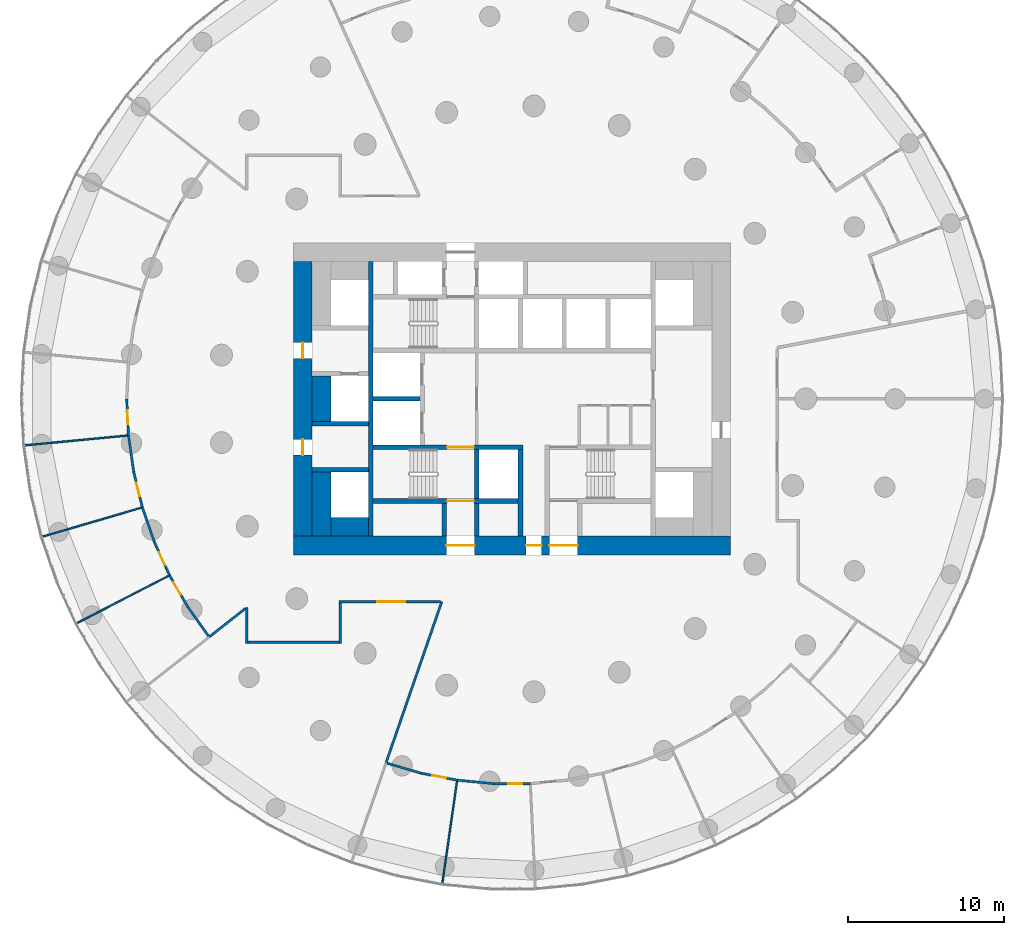
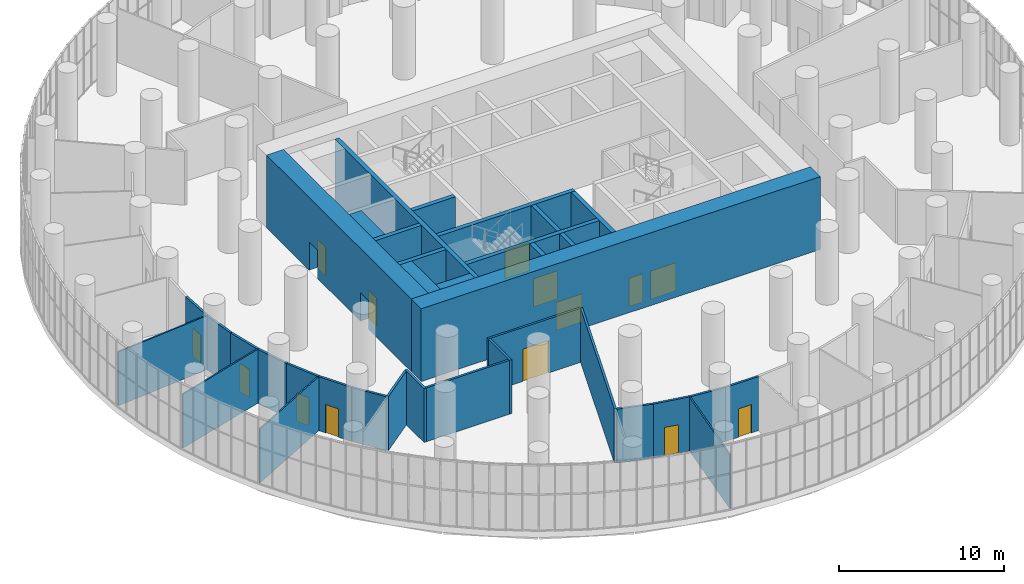
# One storey, part 21 of 27: 36 walls, 14 doors, 14 openings.
"""IFC4 building model written with IfcOpenShell, lengths in metres."""

from ifc_helpers import new_model, si_unit, direction, frame, frame_2d, origin, place, context, subcontext, project, spatial, rectangle, extrude, material, layer, layer_set, type_object, element, fill, save


model = new_model("IFC4")

# Units and contexts
model_context = context("Model", 3, precision=1e-05, world=origin(), true_north=direction((0.0, 1.0)))
body_context = subcontext(model_context, "Body", "Model", "MODEL_VIEW")
ifc_project = project(units=[si_unit("LENGTHUNIT", "METRE"), si_unit("AREAUNIT", "SQUARE_METRE"), si_unit("VOLUMEUNIT", "CUBIC_METRE"), si_unit("PLANEANGLEUNIT", "RADIAN"), si_unit("MASSUNIT", "GRAM", prefix="KILO")], contexts=[model_context])

# Site, building, storey
site_placement = place(None, origin())
site = spatial("IfcSite", under=ifc_project, at=site_placement, CompositionType="ELEMENT")
building_placement = place(site_placement, origin())
building = spatial("IfcBuilding", under=site, at=building_placement, Name="Tracery Tower", CompositionType="ELEMENT")
storey_placement = place(building_placement, frame((0.0, 0.0, 114.60009765625)))
storey = spatial("IfcBuildingStorey", under=building, at=storey_placement, Name="L29", CompositionType="ELEMENT", Elevation=114.60009765625)

# Walls
ifc_material_1 = material(Name="Concrete C60/75", Category="concrete")
ifc_layer_1 = layer(ifc_material_1, 1.199951171875)
ifc_layer_set_1 = layer_set([ifc_layer_1], Name="Core strip wall 1200 C60")
wall_type_1 = type_object("IfcWallType", Name="Core strip wall 1200 C60", PredefinedType="SOLIDWALL", material=ifc_layer_set_1)
wall_1_placement = place(storey_placement, frame((-12.199951171875, -8.800048828125, 0.0), z_axis=(0.0, 0.0, 1.0), x_axis=(0.0, 1.0, 0.0)))
element("IfcWall", 1, at=wall_1_placement, inside=storey, type_object=wall_type_1, Name="L29 wing strip -1 -9.4", PredefinedType="SOLIDWALL", context=body_context, shape_type="SweptSolid", body=[
    extrude(rectangle(XDim=4.10009765625, YDim=1.199951171875, at=frame_2d((2.050048828125, 0.0))), origin(), (0.0, 0.0, 1.0), 4.89990234375),
])
wall_2_placement = place(storey_placement, frame((-12.199951171875, -1.449951171875, 0.0), z_axis=(0.0, 0.0, 1.0), x_axis=(0.0, 1.0, 0.0)))
element("IfcWall", 2, at=wall_2_placement, inside=storey, type_object=wall_type_1, Name="L29 wing strip -1 -1.6", PredefinedType="SOLIDWALL", context=body_context, shape_type="SweptSolid", body=[
    extrude(rectangle(XDim=2.89990234375, YDim=1.199951171875, at=frame_2d((1.449951171875, 0.0))), origin(), (0.0, 0.0, 1.0), 4.89990234375),
])
wall_3_placement = place(storey_placement, frame((-11.60009765625, -8.199951171875, 0.0), z_axis=(0.0, 0.0, 1.0), x_axis=(1.0, 0.0, 0.0)))
element("IfcWall", 3, at=wall_3_placement, inside=storey, type_object=wall_type_1, Name="L29 wing corner -1 -8.2", PredefinedType="SOLIDWALL", context=body_context, shape_type="SweptSolid", body=[
    extrude(rectangle(XDim=2.400146484375, YDim=1.199951171875, at=frame_2d((1.2001953125, 0.0))), origin(), (0.0, 0.0, 1.0), 4.89990234375),
])

# Wall, openings, doors
ifc_material_2 = material(Name="Concrete C60/75", Category="concrete")
ifc_layer_2 = layer(ifc_material_2, 1.199951171875)
ifc_layer_set_2 = layer_set([ifc_layer_2], Name="Core wall 1200 C60")
wall_type_2 = type_object("IfcWallType", Name="Core wall 1200 C60", PredefinedType="SOLIDWALL", material=ifc_layer_set_2)
wall_4_placement = place(storey_placement, frame((-14.0, -9.39990234375, 0.0), z_axis=(0.0, 0.0, 1.0), x_axis=(1.0, 0.0, 0.0)))
wall_4 = element("IfcWall", 4, at=wall_4_placement, inside=storey, type_object=wall_type_2, Name="L29 outer S", PredefinedType="SOLIDWALL", context=body_context, shape_type="SweptSolid", body=[
    extrude(rectangle(XDim=28.0, YDim=1.199951171875, at=frame_2d((14.0, 0.0))), origin(), (0.0, 0.0, 1.0), 5.39990234375),
])
opening_1_placement = place(wall_4_placement, frame((14.89990234375, 0.0, 0.0)))
opening_1 = element("IfcOpeningElement", 5, at=opening_1_placement, cuts=wall_4, Name="Opening KD16", PredefinedType="OPENING", context=body_context, shape_type="SweptSolid", body=[
    extrude(rectangle(XDim=1.0, YDim=2.10009765625, at=frame_2d((0.5, 1.050048828125))), frame((0.0, 0.60009765625, 0.0), z_axis=(0.0, -1.0, 0.0), x_axis=(1.0, 0.0, 0.0)), (0.0, 0.0, 1.0), 1.199951171875),
])
opening_2_placement = place(wall_4_placement, frame((9.800048828125, 0.0, 0.0)))
opening_2 = element("IfcOpeningElement", 6, at=opening_2_placement, cuts=wall_4, Name="Opening KD13", PredefinedType="OPENING", context=body_context, shape_type="SweptSolid", body=[
    extrude(rectangle(XDim=1.800048828125, YDim=2.10009765625, at=frame_2d((0.89990234375, 1.050048828125))), frame((0.0, 0.60009765625, 0.0), z_axis=(0.0, -1.0, 0.0), x_axis=(1.0, 0.0, 0.0)), (0.0, 0.0, 1.0), 1.199951171875),
])
opening_3_placement = place(wall_4_placement, frame((16.39990234375, 0.0, 0.0)))
opening_3 = element("IfcOpeningElement", 7, at=opening_3_placement, cuts=wall_4, Name="Opening KD13", PredefinedType="OPENING", context=body_context, shape_type="SweptSolid", body=[
    extrude(rectangle(XDim=1.800048828125, YDim=2.10009765625, at=frame_2d((0.89990234375, 1.050048828125))), frame((0.0, 0.60009765625, 0.0), z_axis=(0.0, -1.0, 0.0), x_axis=(1.0, 0.0, 0.0)), (0.0, 0.0, 1.0), 1.199951171875),
])
ifc_material_3 = material(Name="Steel fire door", Category="steel")
door_type_1 = type_object("IfcDoorType", Name="Core exit door 1000", OperationType="NOTDEFINED", PredefinedType="DOOR", material=ifc_material_3)
door_1_placement = place(opening_1_placement, origin())
door_1 = element("IfcDoor", 8, at=door_1_placement, inside=storey, type_object=door_type_1, Name="Core exit door", OperationType="SINGLE_SWING_LEFT", OverallHeight=2.10009765625, OverallWidth=1.0, PredefinedType="DOOR", context=body_context, shape_type="SweptSolid", body=[
    extrude(rectangle(XDim=1.0, YDim=2.10009765625, at=frame_2d((0.5, 1.050048828125))), frame((0.0, 0.02490234375, 0.0), z_axis=(0.0, -1.0, 0.0), x_axis=(1.0, 0.0, 0.0)), (0.0, 0.0, 1.0), 0.050048828125),
])
fill(opening_1, door_1)
ifc_material_4 = material(Name="Steel fire door", Category="steel")
door_type_2 = type_object("IfcDoorType", Name="Core exit door 1800 double", OperationType="NOTDEFINED", PredefinedType="DOOR", material=ifc_material_4)
door_2_placement = place(opening_2_placement, origin())
door_2 = element("IfcDoor", 9, at=door_2_placement, inside=storey, type_object=door_type_2, Name="Core exit door", OperationType="DOUBLE_DOOR_SINGLE_SWING", OverallHeight=2.10009765625, OverallWidth=1.800048828125, PredefinedType="DOOR", context=body_context, shape_type="SweptSolid", body=[
    extrude(rectangle(XDim=1.800048828125, YDim=2.10009765625, at=frame_2d((0.89990234375, 1.050048828125))), frame((0.0, 0.02490234375, 0.0), z_axis=(0.0, -1.0, 0.0), x_axis=(1.0, 0.0, 0.0)), (0.0, 0.0, 1.0), 0.050048828125),
])
fill(opening_2, door_2)
door_3_placement = place(opening_3_placement, origin())
door_3 = element("IfcDoor", 10, at=door_3_placement, inside=storey, type_object=door_type_2, Name="Core exit door", OperationType="DOUBLE_DOOR_SINGLE_SWING", OverallHeight=2.10009765625, OverallWidth=1.800048828125, PredefinedType="DOOR", context=body_context, shape_type="SweptSolid", body=[
    extrude(rectangle(XDim=1.800048828125, YDim=2.10009765625, at=frame_2d((0.89990234375, 1.050048828125))), frame((0.0, 0.02490234375, 0.0), z_axis=(0.0, -1.0, 0.0), x_axis=(1.0, 0.0, 0.0)), (0.0, 0.0, 1.0), 0.050048828125),
])
fill(opening_3, door_3)

wall_5_placement = place(storey_placement, frame((-13.39990234375, -8.800048828125, 0.0), z_axis=(0.0, 0.0, 1.0), x_axis=(0.0, 1.0, 0.0)))
wall_5 = element("IfcWall", 11, at=wall_5_placement, inside=storey, type_object=wall_type_2, Name="L29 outer W", PredefinedType="SOLIDWALL", context=body_context, shape_type="SweptSolid", body=[
    extrude(rectangle(XDim=17.60009765625, YDim=1.199951171875, at=frame_2d((8.800048828125, 0.0))), origin(), (0.0, 0.0, 1.0), 5.39990234375),
])
opening_4_placement = place(wall_5_placement, frame((5.199951171875, 0.0, 0.0)))
opening_4 = element("IfcOpeningElement", 12, at=opening_4_placement, cuts=wall_5, Name="Opening KD18", PredefinedType="OPENING", context=body_context, shape_type="SweptSolid", body=[
    extrude(rectangle(XDim=1.0, YDim=2.10009765625, at=frame_2d((0.5, 1.050048828125))), frame((0.0, 0.60009765625, 0.0), z_axis=(0.0, -1.0, 0.0), x_axis=(1.0, 0.0, 0.0)), (0.0, 0.0, 1.0), 1.199951171875),
])
opening_5_placement = place(wall_5_placement, frame((11.39990234375, 0.0, 0.0)))
opening_5 = element("IfcOpeningElement", 13, at=opening_5_placement, cuts=wall_5, Name="Opening KD18", PredefinedType="OPENING", context=body_context, shape_type="SweptSolid", body=[
    extrude(rectangle(XDim=1.0, YDim=2.10009765625, at=frame_2d((0.5, 1.050048828125))), frame((0.0, 0.60009765625, 0.0), z_axis=(0.0, -1.0, 0.0), x_axis=(1.0, 0.0, 0.0)), (0.0, 0.0, 1.0), 1.199951171875),
])
door_4_placement = place(opening_4_placement, origin())
door_4 = element("IfcDoor", 14, at=door_4_placement, inside=storey, type_object=door_type_1, Name="Core exit door", OperationType="DOUBLE_DOOR_SINGLE_SWING", OverallHeight=2.10009765625, OverallWidth=1.0, PredefinedType="DOOR", context=body_context, shape_type="SweptSolid", body=[
    extrude(rectangle(XDim=1.0, YDim=2.10009765625, at=frame_2d((0.5, 1.050048828125))), frame((0.0, 0.02490234375, 0.0), z_axis=(0.0, -1.0, 0.0), x_axis=(1.0, 0.0, 0.0)), (0.0, 0.0, 1.0), 0.050048828125),
])
fill(opening_4, door_4)
door_5_placement = place(opening_5_placement, origin())
door_5 = element("IfcDoor", 15, at=door_5_placement, inside=storey, type_object=door_type_1, Name="Core exit door", OperationType="DOUBLE_DOOR_SINGLE_SWING", OverallHeight=2.10009765625, OverallWidth=1.0, PredefinedType="DOOR", context=body_context, shape_type="SweptSolid", body=[
    extrude(rectangle(XDim=1.0, YDim=2.10009765625, at=frame_2d((0.5, 1.050048828125))), frame((0.0, 0.02490234375, 0.0), z_axis=(0.0, -1.0, 0.0), x_axis=(1.0, 0.0, 0.0)), (0.0, 0.0, 1.0), 0.050048828125),
])
fill(opening_5, door_5)

# Wall, opening, door
ifc_material_5 = material(Name="Plasterboard on steel studs", Category="steel")
ifc_layer_3 = layer(ifc_material_5, 0.14990234375)
ifc_layer_set_3 = layer_set([ifc_layer_3], Name="Corridor partition 150")
wall_type_3 = type_object("IfcWallType", Name="Corridor partition 150", PredefinedType="PARTITIONING", material=ifc_layer_set_3)
wall_6_placement = place(storey_placement, frame((-24.5751953125, -2.3466796875, 0.0), z_axis=(0.0, 0.0, 1.0), x_axis=(-0.047594773283, 0.998866726624, 0.0)))
wall_6 = element("IfcWall", 16, at=wall_6_placement, inside=storey, type_object=wall_type_3, Name="Corridor partition 150", PredefinedType="PARTITIONING", context=body_context, shape_type="SweptSolid", body=[
    extrude(rectangle(XDim=2.349365234375, YDim=0.14990234375, at=frame_2d((1.1748046875, 0.0))), origin(), (0.0, 0.0, 1.0), 4.0),
])
opening_6_placement = place(wall_6_placement, frame((0.724609375, 0.0, 0.0)))
opening_6 = element("IfcOpeningElement", 17, at=opening_6_placement, cuts=wall_6, Name="Opening SB-L29-19", PredefinedType="OPENING", context=body_context, shape_type="SweptSolid", body=[
    extrude(rectangle(XDim=0.89990234375, YDim=2.10009765625, at=frame_2d((0.449951171875, 1.050048828125))), frame((0.0, 0.074951171875, 0.0), z_axis=(0.0, -1.0, 0.0), x_axis=(1.0, 0.0, 0.0)), (0.0, 0.0, 1.0), 0.14990234375),
])
ifc_material_6 = material(Name="Timber door leaf", Category="wood")
door_type_3 = type_object("IfcDoorType", Name="Room door 900", OperationType="NOTDEFINED", PredefinedType="DOOR", material=ifc_material_6)
door_6_placement = place(opening_6_placement, origin())
door_6 = element("IfcDoor", 18, at=door_6_placement, inside=storey, type_object=door_type_3, Name="Room door 900", OperationType="SINGLE_SWING_RIGHT", OverallHeight=2.10009765625, OverallWidth=0.89990234375, PredefinedType="DOOR", context=body_context, shape_type="SweptSolid", body=[
    extrude(rectangle(XDim=0.89990234375, YDim=2.10009765625, at=frame_2d((0.449951171875, 1.050048828125))), frame((0.0, 0.02490234375, 0.0), z_axis=(0.0, -1.0, 0.0), x_axis=(1.0, 0.0, 0.0)), (0.0, 0.0, 1.0), 0.050048828125),
])
fill(opening_6, door_6)

# Wall
wall_7_placement = place(storey_placement, frame((-24.5751953125, -2.3466796875, 0.0), z_axis=(0.0, 0.0, 1.0), x_axis=(0.142366940736, -0.989813949278, 0.0)))
element("IfcWall", 19, at=wall_7_placement, inside=storey, type_object=wall_type_3, Name="Corridor partition 150", PredefinedType="PARTITIONING", context=body_context, shape_type="SweptSolid", body=[
    extrude(rectangle(XDim=2.349365234375, YDim=0.14990234375, at=frame_2d((1.1748046875, 0.0))), origin(), (0.0, 0.0, 1.0), 4.0),
])

# Wall, opening, door
wall_8_placement = place(storey_placement, frame((-23.68701171875, -6.955078125, 0.0), z_axis=(0.0, 0.0, 1.0), x_axis=(-0.235707106262, 0.9718241405, 0.0)))
wall_8 = element("IfcWall", 20, at=wall_8_placement, inside=storey, type_object=wall_type_3, Name="Corridor partition 150", PredefinedType="PARTITIONING", context=body_context, shape_type="SweptSolid", body=[
    extrude(rectangle(XDim=2.34912109375, YDim=0.14990234375, at=frame_2d((1.174560546875, 0.0))), origin(), (0.0, 0.0, 1.0), 4.0),
])
opening_7_placement = place(wall_8_placement, frame((0.724609375, 0.0, 0.0)))
opening_7 = element("IfcOpeningElement", 21, at=opening_7_placement, cuts=wall_8, Name="Opening SB-L29-20", PredefinedType="OPENING", context=body_context, shape_type="SweptSolid", body=[
    extrude(rectangle(XDim=0.89990234375, YDim=2.10009765625, at=frame_2d((0.449951171875, 1.050048828125))), frame((0.0, 0.074951171875, 0.0), z_axis=(0.0, -1.0, 0.0), x_axis=(1.0, 0.0, 0.0)), (0.0, 0.0, 1.0), 0.14990234375),
])
door_7_placement = place(opening_7_placement, origin())
door_7 = element("IfcDoor", 22, at=door_7_placement, inside=storey, type_object=door_type_3, Name="Room door 900", OperationType="SINGLE_SWING_RIGHT", OverallHeight=2.10009765625, OverallWidth=0.89990234375, PredefinedType="DOOR", context=body_context, shape_type="SweptSolid", body=[
    extrude(rectangle(XDim=0.89990234375, YDim=2.10009765625, at=frame_2d((0.449951171875, 1.050048828125))), frame((0.0, 0.02490234375, 0.0), z_axis=(0.0, -1.0, 0.0), x_axis=(1.0, 0.0, 0.0)), (0.0, 0.0, 1.0), 0.050048828125),
])
fill(opening_7, door_7)

# Wall
wall_9_placement = place(storey_placement, frame((-23.68701171875, -6.955078125, 0.0), z_axis=(0.0, 0.0, 1.0), x_axis=(0.327117701878, -0.944983602566, 0.0)))
element("IfcWall", 23, at=wall_9_placement, inside=storey, type_object=wall_type_3, Name="Corridor partition 150", PredefinedType="PARTITIONING", context=body_context, shape_type="SweptSolid", body=[
    extrude(rectangle(XDim=2.349365234375, YDim=0.14990234375, at=frame_2d((1.1748046875, 0.0))), origin(), (0.0, 0.0, 1.0), 4.0),
])

# Wall, opening, door
wall_10_placement = place(storey_placement, frame((-21.942626953125, -11.312255859375, 0.0), z_axis=(0.0, 0.0, 1.0), x_axis=(-0.415383956613, 0.909646177691, 0.0)))
wall_10 = element("IfcWall", 24, at=wall_10_placement, inside=storey, type_object=wall_type_3, Name="Corridor partition 150", PredefinedType="PARTITIONING", context=body_context, shape_type="SweptSolid", body=[
    extrude(rectangle(XDim=2.34912109375, YDim=0.14990234375, at=frame_2d((1.174560546875, 0.0))), origin(), (0.0, 0.0, 1.0), 4.0),
])
opening_8_placement = place(wall_10_placement, frame((0.724609375, 0.0, 0.0)))
opening_8 = element("IfcOpeningElement", 25, at=opening_8_placement, cuts=wall_10, Name="Opening SB-L29-21", PredefinedType="OPENING", context=body_context, shape_type="SweptSolid", body=[
    extrude(rectangle(XDim=0.89990234375, YDim=2.10009765625, at=frame_2d((0.449951171875, 1.050048828125))), frame((0.0, 0.074951171875, 0.0), z_axis=(0.0, -1.0, 0.0), x_axis=(1.0, 0.0, 0.0)), (0.0, 0.0, 1.0), 0.14990234375),
])
door_8_placement = place(opening_8_placement, origin())
door_8 = element("IfcDoor", 26, at=door_8_placement, inside=storey, type_object=door_type_3, Name="Room door 900", OperationType="SINGLE_SWING_RIGHT", OverallHeight=2.10009765625, OverallWidth=0.89990234375, PredefinedType="DOOR", context=body_context, shape_type="SweptSolid", body=[
    extrude(rectangle(XDim=0.89990234375, YDim=2.10009765625, at=frame_2d((0.449951171875, 1.050048828125))), frame((0.0, 0.02490234375, 0.0), z_axis=(0.0, -1.0, 0.0), x_axis=(1.0, 0.0, 0.0)), (0.0, 0.0, 1.0), 0.050048828125),
])
fill(opening_8, door_8)

wall_11_placement = place(storey_placement, frame((-20.767822265625, -13.3466796875, 0.0), z_axis=(0.0, 0.0, 1.0), x_axis=(-0.500073279432, 0.865983091751, 0.0)))
wall_11 = element("IfcWall", 27, at=wall_11_placement, inside=storey, type_object=wall_type_3, Name="Corridor partition 150", PredefinedType="PARTITIONING", context=body_context, shape_type="SweptSolid", body=[
    extrude(rectangle(XDim=2.349365234375, YDim=0.14990234375, at=frame_2d((1.1748046875, 0.0))), origin(), (0.0, 0.0, 1.0), 4.0),
])
opening_9_placement = place(wall_11_placement, frame((0.924560546875, 0.0, 0.0)))
opening_9 = element("IfcOpeningElement", 28, at=opening_9_placement, cuts=wall_11, Name="Opening SB-L29-22", PredefinedType="OPENING", context=body_context, shape_type="SweptSolid", body=[
    extrude(rectangle(XDim=0.89990234375, YDim=2.10009765625, at=frame_2d((0.449951171875, 1.050048828125))), frame((0.0, 0.074951171875, 0.0), z_axis=(0.0, -1.0, 0.0), x_axis=(1.0, 0.0, 0.0)), (0.0, 0.0, 1.0), 0.14990234375),
])
door_9_placement = place(opening_9_placement, origin())
door_9 = element("IfcDoor", 29, at=door_9_placement, inside=storey, type_object=door_type_3, Name="Room door 900", OperationType="SINGLE_SWING_RIGHT", OverallHeight=2.10009765625, OverallWidth=0.89990234375, PredefinedType="DOOR", context=body_context, shape_type="SweptSolid", body=[
    extrude(rectangle(XDim=0.89990234375, YDim=2.10009765625, at=frame_2d((0.449951171875, 1.050048828125))), frame((0.0, 0.02490234375, 0.0), z_axis=(0.0, -1.0, 0.0), x_axis=(1.0, 0.0, 0.0)), (0.0, 0.0, 1.0), 0.050048828125),
])
fill(opening_9, door_9)

# Walls
wall_12_placement = place(storey_placement, frame((-20.767822265625, -13.3466796875, 0.0), z_axis=(0.0, 0.0, 1.0), x_axis=(0.580029104411, -0.8145957513, 0.0)))
element("IfcWall", 30, at=wall_12_placement, inside=storey, type_object=wall_type_3, Name="Corridor partition 150", PredefinedType="PARTITIONING", context=body_context, shape_type="SweptSolid", body=[
    extrude(rectangle(XDim=2.274169921875, YDim=0.14990234375, at=frame_2d((1.13720703125, 0.0))), origin(), (0.0, 0.0, 1.0), 4.0),
])
wall_13_placement = place(storey_placement, frame((-19.4052734375, -15.260498046875, 0.0), z_axis=(0.0, 0.0, 1.0), x_axis=(0.78606393764, 0.618145198106, 0.0)))
element("IfcWall", 31, at=wall_13_placement, inside=storey, type_object=wall_type_3, Name="Corridor partition 150", PredefinedType="PARTITIONING", context=body_context, shape_type="SweptSolid", body=[
    extrude(rectangle(XDim=2.964599609375, YDim=0.14990234375, at=frame_2d((1.482421875, 0.0))), origin(), (0.0, 0.0, 1.0), 4.0),
])
wall_14_placement = place(storey_placement, frame((-16.925048828125, -15.602294921875, 0.0), z_axis=(0.0, 0.0, 1.0), x_axis=(1.0, 0.0, 0.0)))
element("IfcWall", 32, at=wall_14_placement, inside=storey, type_object=wall_type_3, Name="Corridor partition 150", PredefinedType="PARTITIONING", context=body_context, shape_type="SweptSolid", body=[
    extrude(rectangle(XDim=5.8525390625, YDim=0.14990234375, at=frame_2d((2.92626953125, 0.0))), origin(), (0.0, 0.0, 1.0), 4.0),
])
wall_15_placement = place(storey_placement, frame((-17.0, -13.368896484375, 0.0), z_axis=(0.0, 0.0, 1.0), x_axis=(0.0, -1.0, 0.0)))
element("IfcWall", 33, at=wall_15_placement, inside=storey, type_object=wall_type_3, Name="Corridor partition 150", PredefinedType="PARTITIONING", context=body_context, shape_type="SweptSolid", body=[
    extrude(rectangle(XDim=2.308349609375, YDim=0.14990234375, at=frame_2d((1.154296875, 0.0))), origin(), (0.0, 0.0, 1.0), 4.0),
])
wall_16_placement = place(storey_placement, frame((-10.99755859375, -15.67724609375, 0.0), z_axis=(0.0, 0.0, 1.0), x_axis=(0.0, 1.0, 0.0)))
element("IfcWall", 34, at=wall_16_placement, inside=storey, type_object=wall_type_3, Name="Corridor partition 150", PredefinedType="PARTITIONING", context=body_context, shape_type="SweptSolid", body=[
    extrude(rectangle(XDim=2.602294921875, YDim=0.14990234375, at=frame_2d((1.30126953125, 0.0))), origin(), (0.0, 0.0, 1.0), 4.0),
])

# Wall, opening, door
wall_17_placement = place(storey_placement, frame((-4.57861328125, -13.0, 0.0), z_axis=(0.0, 0.0, 1.0), x_axis=(-1.0, 0.0, 0.0)))
wall_17 = element("IfcWall", 35, at=wall_17_placement, inside=storey, type_object=wall_type_3, Name="Corridor partition 150", PredefinedType="PARTITIONING", context=body_context, shape_type="SweptSolid", body=[
    extrude(rectangle(XDim=6.493896484375, YDim=0.14990234375, at=frame_2d((3.2470703125, 0.0))), origin(), (0.0, 0.0, 1.0), 4.0),
])
opening_10_placement = place(wall_17_placement, frame((2.269775390625, 0.0, 0.0)))
opening_10 = element("IfcOpeningElement", 36, at=opening_10_placement, cuts=wall_17, Name="Opening SB-L29-23", PredefinedType="OPENING", context=body_context, shape_type="SweptSolid", body=[
    extrude(rectangle(XDim=1.800048828125, YDim=2.39990234375, at=frame_2d((0.89990234375, 1.199951171875))), frame((0.0, 0.074951171875, 0.0), z_axis=(0.0, -1.0, 0.0), x_axis=(1.0, 0.0, 0.0)), (0.0, 0.0, 1.0), 0.14990234375),
])
ifc_material_7 = material(Name="Glazed aluminium door", Category="aluminium")
door_type_4 = type_object("IfcDoorType", Name="Hall double door 1800", OperationType="DOUBLE_DOOR_SINGLE_SWING", PredefinedType="DOOR", material=ifc_material_7)
door_10_placement = place(opening_10_placement, origin())
door_10 = element("IfcDoor", 37, at=door_10_placement, inside=storey, type_object=door_type_4, Name="Hall double door 1800", OperationType="DOUBLE_DOOR_SINGLE_SWING", OverallHeight=2.39990234375, OverallWidth=1.800048828125, PredefinedType="DOOR", context=body_context, shape_type="SweptSolid", body=[
    extrude(rectangle(XDim=1.800048828125, YDim=2.39990234375, at=frame_2d((0.89990234375, 1.199951171875))), frame((0.0, 0.02490234375, 0.0), z_axis=(0.0, -1.0, 0.0), x_axis=(1.0, 0.0, 0.0)), (0.0, 0.0, 1.0), 0.050048828125),
])
fill(opening_10, door_10)

# Walls
wall_18_placement = place(storey_placement, frame((-8.002197265625, -23.350341796875, 0.0), z_axis=(0.0, 0.0, 1.0), x_axis=(0.959505555221, -0.281689704285, 0.0)))
element("IfcWall", 38, at=wall_18_placement, inside=storey, type_object=wall_type_3, Name="Corridor partition 150", PredefinedType="PARTITIONING", context=body_context, shape_type="SweptSolid", body=[
    extrude(rectangle(XDim=2.274169921875, YDim=0.14990234375, at=frame_2d((1.13720703125, 0.0))), origin(), (0.0, 0.0, 1.0), 4.0),
])
wall_19_placement = place(storey_placement, frame((-8.07421875, -23.3291015625, 0.0), z_axis=(0.0, 0.0, 1.0), x_axis=(0.327069136832, 0.945000412557, 0.0)))
element("IfcWall", 39, at=wall_19_placement, inside=storey, type_object=wall_type_3, Name="Corridor partition 150", PredefinedType="PARTITIONING", context=body_context, shape_type="SweptSolid", body=[
    extrude(rectangle(XDim=10.93017578125, YDim=0.14990234375, at=frame_2d((5.465087890625, 0.0))), origin(), (0.0, 0.0, 1.0), 4.0),
])

# Wall, opening, door
wall_20_placement = place(storey_placement, frame((-3.51318359375, -24.435546875, 0.0), z_axis=(0.0, 0.0, 1.0), x_axis=(-0.981931506564, 0.189236667738, 0.0)))
wall_20 = element("IfcWall", 40, at=wall_20_placement, inside=storey, type_object=wall_type_3, Name="Corridor partition 150", PredefinedType="PARTITIONING", context=body_context, shape_type="SweptSolid", body=[
    extrude(rectangle(XDim=2.349365234375, YDim=0.14990234375, at=frame_2d((1.1748046875, 0.0))), origin(), (0.0, 0.0, 1.0), 4.0),
])
opening_11_placement = place(wall_20_placement, frame((0.724609375, 0.0, 0.0)))
opening_11 = element("IfcOpeningElement", 41, at=opening_11_placement, cuts=wall_20, Name="Opening SB-L29-24", PredefinedType="OPENING", context=body_context, shape_type="SweptSolid", body=[
    extrude(rectangle(XDim=0.89990234375, YDim=2.10009765625, at=frame_2d((0.449951171875, 1.050048828125))), frame((0.0, 0.074951171875, 0.0), z_axis=(0.0, -1.0, 0.0), x_axis=(1.0, 0.0, 0.0)), (0.0, 0.0, 1.0), 0.14990234375),
])
door_11_placement = place(opening_11_placement, origin())
door_11 = element("IfcDoor", 42, at=door_11_placement, inside=storey, type_object=door_type_3, Name="Room door 900", OperationType="SINGLE_SWING_RIGHT", OverallHeight=2.10009765625, OverallWidth=0.89990234375, PredefinedType="DOOR", context=body_context, shape_type="SweptSolid", body=[
    extrude(rectangle(XDim=0.89990234375, YDim=2.10009765625, at=frame_2d((0.449951171875, 1.050048828125))), frame((0.0, 0.02490234375, 0.0), z_axis=(0.0, -1.0, 0.0), x_axis=(1.0, 0.0, 0.0)), (0.0, 0.0, 1.0), 0.050048828125),
])
fill(opening_11, door_11)

# Wall
wall_21_placement = place(storey_placement, frame((-3.51318359375, -24.435546875, 0.0), z_axis=(0.0, 0.0, 1.0), x_axis=(0.995468810632, -0.095088627386, 0.0)))
element("IfcWall", 43, at=wall_21_placement, inside=storey, type_object=wall_type_3, Name="Corridor partition 150", PredefinedType="PARTITIONING", context=body_context, shape_type="SweptSolid", body=[
    extrude(rectangle(XDim=2.349365234375, YDim=0.14990234375, at=frame_2d((1.1748046875, 0.0))), origin(), (0.0, 0.0, 1.0), 4.0),
])

# Wall, opening, door
wall_22_placement = place(storey_placement, frame((1.174560546875, -24.658935546875, 0.0), z_axis=(0.0, 0.0, 1.0), x_axis=(-1.0, 0.0, 0.0)))
wall_22 = element("IfcWall", 44, at=wall_22_placement, inside=storey, type_object=wall_type_3, Name="Corridor partition 150", PredefinedType="PARTITIONING", context=body_context, shape_type="SweptSolid", body=[
    extrude(rectangle(XDim=2.34912109375, YDim=0.14990234375, at=frame_2d((1.174560546875, 0.0))), origin(), (0.0, 0.0, 1.0), 4.0),
])
opening_12_placement = place(wall_22_placement, frame((0.524658203125, 0.0, 0.0)))
opening_12 = element("IfcOpeningElement", 45, at=opening_12_placement, cuts=wall_22, Name="Opening SB-L29-25", PredefinedType="OPENING", context=body_context, shape_type="SweptSolid", body=[
    extrude(rectangle(XDim=0.89990234375, YDim=2.10009765625, at=frame_2d((0.449951171875, 1.050048828125))), frame((0.0, 0.074951171875, 0.0), z_axis=(0.0, -1.0, 0.0), x_axis=(1.0, 0.0, 0.0)), (0.0, 0.0, 1.0), 0.14990234375),
])
door_12_placement = place(opening_12_placement, origin())
door_12 = element("IfcDoor", 46, at=door_12_placement, inside=storey, type_object=door_type_3, Name="Room door 900", OperationType="SINGLE_SWING_RIGHT", OverallHeight=2.10009765625, OverallWidth=0.89990234375, PredefinedType="DOOR", context=body_context, shape_type="SweptSolid", body=[
    extrude(rectangle(XDim=0.89990234375, YDim=2.10009765625, at=frame_2d((0.449951171875, 1.050048828125))), frame((0.0, 0.02490234375, 0.0), z_axis=(0.0, -1.0, 0.0), x_axis=(1.0, 0.0, 0.0)), (0.0, 0.0, 1.0), 0.050048828125),
])
fill(opening_12, door_12)

# Walls
ifc_material_8 = material(Name="Concrete C60/75", Category="concrete")
ifc_layer_4 = layer(ifc_material_8, 0.300048828125)
ifc_layer_set_4 = layer_set([ifc_layer_4], Name="Shaft wall 300 C60")
wall_type_4 = type_object("IfcWallType", Name="Shaft wall 300 C60", PredefinedType="SOLIDWALL", material=ifc_layer_set_4)
wall_23_placement = place(storey_placement, frame((-8.89990234375, 0.0, 0.0), z_axis=(0.0, 0.0, 1.0), x_axis=(1.0, 0.0, 0.0)))
element("IfcWall", 47, at=wall_23_placement, inside=storey, type_object=wall_type_4, Name="L29 FF split", PredefinedType="SOLIDWALL", context=body_context, shape_type="SweptSolid", body=[
    extrude(rectangle(XDim=3.0, YDim=0.300048828125, at=frame_2d((1.5, 0.0))), origin(), (0.0, 0.0, 1.0), 4.89990234375),
])
wall_24_placement = place(storey_placement, frame((0.550048828125, -8.800048828125, 0.0), z_axis=(0.0, 0.0, 1.0), x_axis=(0.0, 1.0, 0.0)))
element("IfcWall", 48, at=wall_24_placement, inside=storey, type_object=wall_type_4, Name="L29 OB2 E", PredefinedType="SOLIDWALL", context=body_context, shape_type="SweptSolid", body=[
    extrude(rectangle(XDim=5.550048828125, YDim=0.300048828125, at=frame_2d((2.77490234375, 0.0))), origin(), (0.0, 0.0, 1.0), 4.89990234375),
])
wall_25_placement = place(storey_placement, frame((-4.35009765625, -8.800048828125, 0.0), z_axis=(0.0, 0.0, 1.0), x_axis=(0.0, 1.0, 0.0)))
element("IfcWall", 49, at=wall_25_placement, inside=storey, type_object=wall_type_4, Name="L29 band S -4.35", PredefinedType="SOLIDWALL", context=body_context, shape_type="SweptSolid", body=[
    extrude(rectangle(XDim=2.10009765625, YDim=0.300048828125, at=frame_2d((1.050048828125, 0.0))), origin(), (0.0, 0.0, 1.0), 4.89990234375),
])
for number, where, z_axis, x_axis, name in (
    (50, (-12.800048828125, -4.550048828125, 0.0), (0.0, 0.0, 1.0), (1.0, 0.0, 0.0), "L29 wing shaft wall -1 -4.55"),
    (51, (-12.800048828125, -1.60009765625, 0.0), (0.0, 0.0, 1.0), (1.0, 0.0, 0.0), "L29 wing shaft wall -1 -1.60"),
):
    element("IfcWall", number, at=place(storey_placement, frame(where, z_axis=z_axis, x_axis=x_axis)), inside=storey, type_object=wall_type_4, Name=name, PredefinedType="SOLIDWALL", context=body_context, shape_type="SweptSolid", body=[
        extrude(rectangle(XDim=3.60009765625, YDim=0.300048828125, at=frame_2d((1.800048828125, 0.0))), origin(), (0.0, 0.0, 1.0), 4.89990234375),
    ])

# Wall, opening, door
ifc_material_9 = material(Name="Concrete C60/75", Category="concrete")
ifc_layer_5 = layer(ifc_material_9, 0.300048828125)
ifc_layer_set_5 = layer_set([ifc_layer_5], Name="Stair wall 300 C60")
wall_type_5 = type_object("IfcWallType", Name="Stair wall 300 C60", PredefinedType="SOLIDWALL", material=ifc_layer_set_5)
wall_26_placement = place(storey_placement, frame((-8.89990234375, -3.10009765625, 0.0), z_axis=(0.0, 0.0, 1.0), x_axis=(1.0, 0.0, 0.0)))
wall_26 = element("IfcWall", 52, at=wall_26_placement, inside=storey, type_object=wall_type_5, Name="L29 row S", PredefinedType="SOLIDWALL", context=body_context, shape_type="SweptSolid", body=[
    extrude(rectangle(XDim=9.599853515625, YDim=0.300048828125, at=frame_2d((4.7998046875, 0.0))), origin(), (0.0, 0.0, 1.0), 4.89990234375),
])
opening_13_placement = place(wall_26_placement, frame((4.75, 0.0, 0.0)))
opening_13 = element("IfcOpeningElement", 53, at=opening_13_placement, cuts=wall_26, Name="Opening KD3", PredefinedType="OPENING", context=body_context, shape_type="SweptSolid", body=[
    extrude(rectangle(XDim=1.699951171875, YDim=2.10009765625, at=frame_2d((0.85009765625, 1.050048828125))), frame((0.0, 0.14990234375, 0.0), z_axis=(0.0, -1.0, 0.0), x_axis=(1.0, 0.0, 0.0)), (0.0, 0.0, 1.0), 0.300048828125),
])
ifc_material_10 = material(Name="Steel fire door", Category="steel")
door_type_5 = type_object("IfcDoorType", Name="Core stair door 1700 double", OperationType="NOTDEFINED", PredefinedType="DOOR", material=ifc_material_10)
door_13_placement = place(opening_13_placement, origin())
door_13 = element("IfcDoor", 54, at=door_13_placement, inside=storey, type_object=door_type_5, Name="Stair door ST1", OperationType="DOUBLE_DOOR_SINGLE_SWING", OverallHeight=2.10009765625, OverallWidth=1.699951171875, PredefinedType="DOOR", context=body_context, shape_type="SweptSolid", body=[
    extrude(rectangle(XDim=1.699951171875, YDim=2.10009765625, at=frame_2d((0.85009765625, 1.050048828125))), frame((0.0, 0.02490234375, 0.0), z_axis=(0.0, -1.0, 0.0), x_axis=(1.0, 0.0, 0.0)), (0.0, 0.0, 1.0), 0.050048828125),
])
fill(opening_13, door_13)

# Walls
wall_27_placement = place(storey_placement, frame((-2.25, -6.39990234375, 0.0), z_axis=(0.0, 0.0, 1.0), x_axis=(0.0, 1.0, 0.0)))
element("IfcWall", 55, at=wall_27_placement, inside=storey, type_object=wall_type_5, Name="L29 ST1 E", PredefinedType="SOLIDWALL", context=body_context, shape_type="SweptSolid", body=[
    extrude(rectangle(XDim=3.14990234375, YDim=0.300048828125, at=frame_2d((1.574951171875, 0.0))), origin(), (0.0, 0.0, 1.0), 4.89990234375),
])
wall_28_placement = place(storey_placement, frame((-9.050048828125, -8.800048828125, 0.0), z_axis=(0.0, 0.0, 1.0), x_axis=(0.0, 1.0, 0.0)))
element("IfcWall", 56, at=wall_28_placement, inside=storey, type_object=wall_type_5, Name="L29 F wall -9", PredefinedType="SOLIDWALL", context=body_context, shape_type="SweptSolid", body=[
    extrude(rectangle(XDim=17.60009765625, YDim=0.300048828125, at=frame_2d((8.800048828125, 0.0))), origin(), (0.0, 0.0, 1.0), 4.89990234375),
])

# Wall, opening, door
wall_29_placement = place(storey_placement, frame((-8.89990234375, -6.550048828125, 0.0), z_axis=(0.0, 0.0, 1.0), x_axis=(1.0, 0.0, 0.0)))
wall_29 = element("IfcWall", 57, at=wall_29_placement, inside=storey, type_object=wall_type_5, Name="L29 F S W", PredefinedType="SOLIDWALL", context=body_context, shape_type="SweptSolid", body=[
    extrude(rectangle(XDim=9.2998046875, YDim=0.300048828125, at=frame_2d((4.64990234375, 0.0))), origin(), (0.0, 0.0, 1.0), 4.89990234375),
])
opening_14_placement = place(wall_29_placement, frame((4.75, 0.0, 0.0)))
opening_14 = element("IfcOpeningElement", 58, at=opening_14_placement, cuts=wall_29, Name="Opening KD3", PredefinedType="OPENING", context=body_context, shape_type="SweptSolid", body=[
    extrude(rectangle(XDim=1.699951171875, YDim=2.10009765625, at=frame_2d((0.85009765625, 1.050048828125))), frame((0.0, 0.14990234375, 0.0), z_axis=(0.0, -1.0, 0.0), x_axis=(1.0, 0.0, 0.0)), (0.0, 0.0, 1.0), 0.300048828125),
])
door_14_placement = place(opening_14_placement, origin())
door_14 = element("IfcDoor", 59, at=door_14_placement, inside=storey, type_object=door_type_5, Name="Stair door ST1 S", OperationType="DOUBLE_DOOR_SINGLE_SWING", OverallHeight=2.10009765625, OverallWidth=1.699951171875, PredefinedType="DOOR", context=body_context, shape_type="SweptSolid", body=[
    extrude(rectangle(XDim=1.699951171875, YDim=2.10009765625, at=frame_2d((0.85009765625, 1.050048828125))), frame((0.0, 0.02490234375, 0.0), z_axis=(0.0, -1.0, 0.0), x_axis=(1.0, 0.0, 0.0)), (0.0, 0.0, 1.0), 0.050048828125),
])
fill(opening_14, door_14)

# Walls
wall_30_placement = place(storey_placement, frame((-2.25, -8.800048828125, 0.0), z_axis=(0.0, 0.0, 1.0), x_axis=(0.0, 1.0, 0.0)))
element("IfcWall", 60, at=wall_30_placement, inside=storey, type_object=wall_type_5, Name="L29 ST1 E out", PredefinedType="SOLIDWALL", context=body_context, shape_type="SweptSolid", body=[
    extrude(rectangle(XDim=2.10009765625, YDim=0.300048828125, at=frame_2d((1.050048828125, 0.0))), origin(), (0.0, 0.0, 1.0), 4.89990234375),
])
ifc_material_11 = material(Name="Plasterboard on steel studs", Category="steel")
ifc_layer_6 = layer(ifc_material_11, 0.10009765625)
ifc_layer_set_6 = layer_set([ifc_layer_6], Name="Stud partition 100")
wall_type_6 = type_object("IfcWallType", Name="Stud partition 100", PredefinedType="PARTITIONING", material=ifc_layer_set_6)
wall_31_placement = place(storey_placement, frame((-31.202392578125, -2.9794921875, 0.0), z_axis=(0.0, 0.0, 1.0), x_axis=(0.99547126892, 0.095062888418, 0.0)))
element("IfcWall", 61, at=wall_31_placement, inside=storey, type_object=wall_type_6, Name="Stud partition 100", PredefinedType="PARTITIONING", context=body_context, shape_type="SweptSolid", body=[
    extrude(rectangle(XDim=6.582275390625, YDim=0.10009765625, at=frame_2d((3.291015625, 0.0))), origin(), (0.0, 0.0, 1.0), 4.0),
])
for number, where, z_axis, x_axis, name in (
    (62, (-30.07470703125, -8.830810546875, 0.0), (0.0, 0.0, 1.0), (0.959494150373, 0.281728549139, 0.0), "Stud partition 100"),
    (63, (-27.860107421875, -14.36279296875, 0.0), (0.0, 0.0, 1.0), (0.88884777779, 0.458202605751, 0.0), "Stud partition 100"),
):
    element("IfcWall", number, at=place(storey_placement, frame(where, z_axis=z_axis, x_axis=x_axis)), inside=storey, type_object=wall_type_6, Name=name, PredefinedType="PARTITIONING", context=body_context, shape_type="SweptSolid", body=[
        extrude(rectangle(XDim=6.58251953125, YDim=0.10009765625, at=frame_2d((3.291259765625, 0.0))), origin(), (0.0, 0.0, 1.0), 4.0),
    ])
wall_32_placement = place(storey_placement, frame((-4.460693359375, -31.025390625, 0.0), z_axis=(0.0, 0.0, 1.0), x_axis=(0.142314426487, 0.989821501087, 0.0)))
element("IfcWall", 64, at=wall_32_placement, inside=storey, type_object=wall_type_6, Name="Stud partition 100", PredefinedType="PARTITIONING", context=body_context, shape_type="SweptSolid", body=[
    extrude(rectangle(XDim=6.582275390625, YDim=0.10009765625, at=frame_2d((3.291015625, 0.0))), origin(), (0.0, 0.0, 1.0), 4.0),
])

save(model, "model.ifc")
